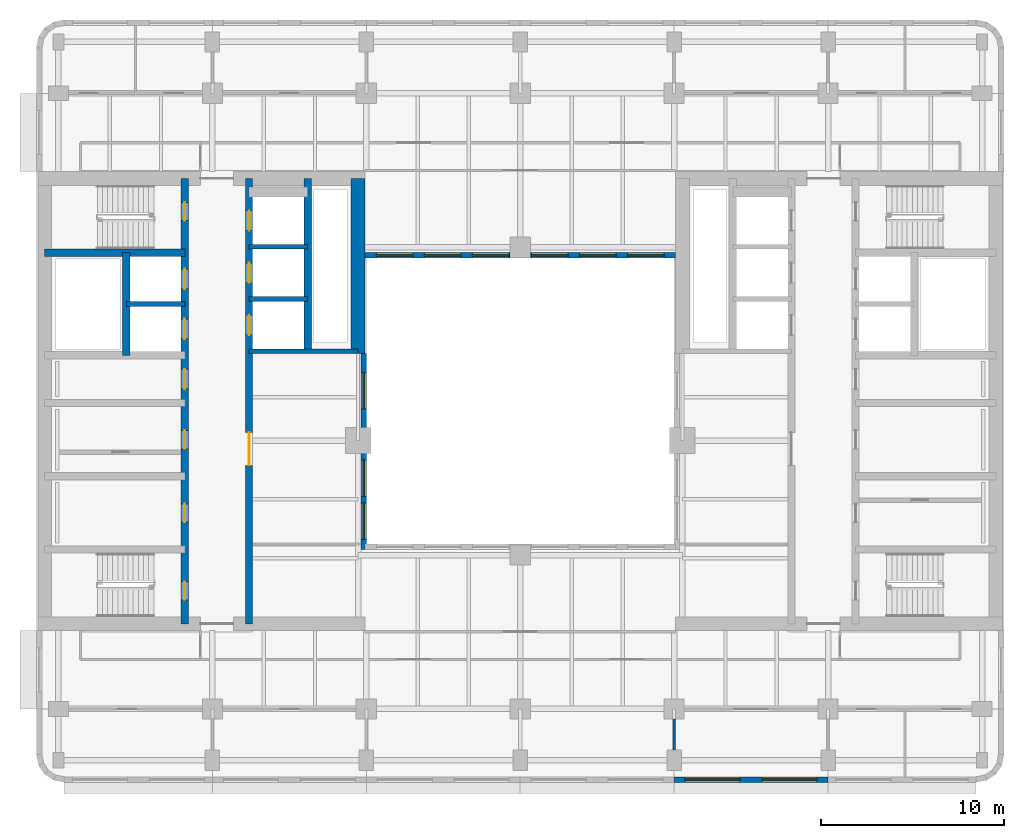
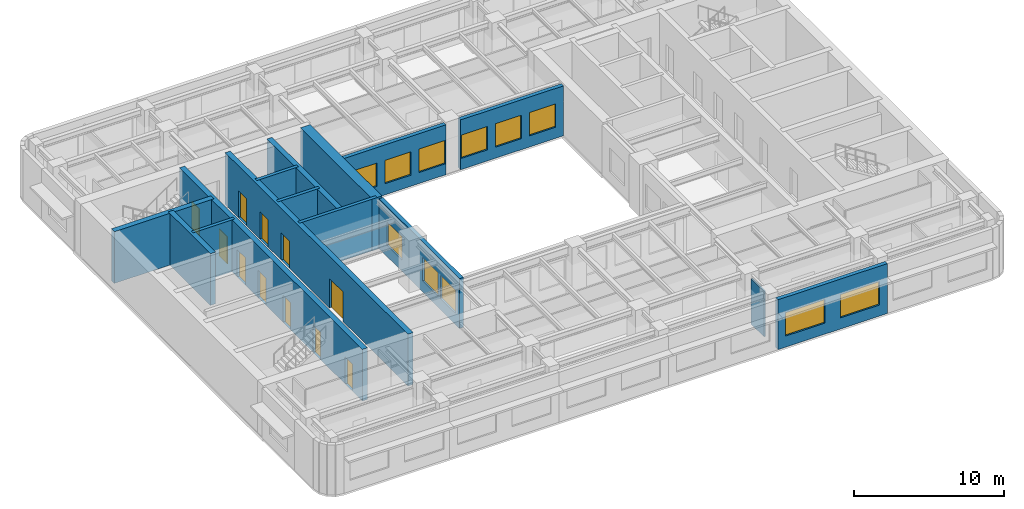
# One storey, part 4 of 11: 15 walls, 11 doors, 11 windows, 22 openings.
"""IFC4 building model written with IfcOpenShell, lengths in metres."""

from ifc_helpers import new_model, si_unit, direction, frame, frame_2d, origin, place, context, subcontext, project, spatial, rectangle, extrude, material, layer, layer_set, type_object, element, fill, save


model = new_model("IFC4")

# Units and contexts
model_context = context("Model", 3, precision=1e-05, world=origin(), true_north=direction((0.0, 1.0)))
body_context = subcontext(model_context, "Body", "Model", "MODEL_VIEW")
ifc_project = project(units=[si_unit("LENGTHUNIT", "METRE"), si_unit("AREAUNIT", "SQUARE_METRE"), si_unit("VOLUMEUNIT", "CUBIC_METRE"), si_unit("PLANEANGLEUNIT", "RADIAN"), si_unit("MASSUNIT", "GRAM", prefix="KILO")], contexts=[model_context])

# Site, building, storey
site_placement = place(None, origin())
site = spatial("IfcSite", under=ifc_project, at=site_placement, CompositionType="ELEMENT")
building_placement = place(site_placement, origin())
building = spatial("IfcBuilding", under=site, at=building_placement, Name="Claustro Exchange Tower", CompositionType="ELEMENT")
storey_placement = place(building_placement, frame((0.0, 0.0, 181.800048828125)))
storey = spatial("IfcBuildingStorey", under=building, at=storey_placement, Name="L41", CompositionType="ELEMENT", Elevation=181.800048828125)

# Wall
ifc_material_1 = material(Name="Laminated glass in aluminium frame", Category="aluminium")
ifc_layer_1 = layer(ifc_material_1, 0.1201171875)
ifc_layer_set_1 = layer_set([ifc_layer_1], Name="Laminated glass in aluminium frame")
wall_type_1 = type_object("IfcWallType", Name="P2 120 glazed partition", PredefinedType="PARTITIONING", material=ifc_layer_set_1)
wall_1_placement = place(storey_placement, frame((33.60009765625, 6.14892578125, 0.0), z_axis=(0.0, 0.0, 1.0), x_axis=(0.0, 1.0, 0.0)))
element("IfcWall", 1, at=wall_1_placement, inside=storey, type_object=wall_type_1, Name="Partition P2 L41", PredefinedType="PARTITIONING", context=body_context, shape_type="SweptSolid", body=[
    extrude(rectangle(XDim=1.7021484375, YDim=0.1201171875, at=frame_2d((0.85107421875, 0.0))), origin(), (0.0, 0.0, 1.0), 3.68994140625),
])

# Wall, openings, windows
ifc_material_2 = material(Name="Concrete HA-40 (C40/50), precast, white cement, acid-etched", Category="concrete")
ifc_layer_2 = layer(ifc_material_2, 0.300048828125)
ifc_layer_set_2 = layer_set([ifc_layer_2], Name="Concrete HA-40 (C40/50), precast, white cement, acid-etched")
wall_type_2 = type_object("IfcWallType", Name="PC1 300 precast concrete pier panel", PredefinedType="SOLIDWALL", material=ifc_layer_set_2)
wall_2_placement = place(storey_placement, frame((42.0, 4.550048828125, 0.0), z_axis=(0.0, 0.0, 1.0), x_axis=(-1.0, 0.0, 0.0)))
wall_2 = element("IfcWall", 2, at=wall_2_placement, inside=storey, type_object=wall_type_2, Name="Precast pier panel PC1 L41", PredefinedType="SOLIDWALL", context=body_context, shape_type="SweptSolid", body=[
    extrude(rectangle(XDim=8.39990234375, YDim=0.300048828125, at=frame_2d((4.199951171875, 0.0))), origin(), (0.0, 0.0, 1.0), 4.050048828125),
])
opening_1_placement = place(wall_2_placement, frame((0.60009765625, 0.0, 0.89990234375)))
opening_1 = element("IfcOpeningElement", 3, at=opening_1_placement, cuts=wall_2, Name="Opening W1", PredefinedType="OPENING", context=body_context, shape_type="SweptSolid", body=[
    extrude(rectangle(XDim=3.0, YDim=1.89990234375, at=frame_2d((1.5, 0.949951171875))), frame((0.0, 0.159912109375, 0.0), z_axis=(0.0, -1.0, 0.0), x_axis=(1.0, 0.0, 0.0)), (0.0, 0.0, 1.0), 0.320068359375),
])
opening_2_placement = place(wall_2_placement, frame((4.800048828125, 0.0, 0.89990234375)))
opening_2 = element("IfcOpeningElement", 4, at=opening_2_placement, cuts=wall_2, Name="Opening W1", PredefinedType="OPENING", context=body_context, shape_type="SweptSolid", body=[
    extrude(rectangle(XDim=3.0, YDim=1.89990234375, at=frame_2d((1.5, 0.949951171875))), frame((0.0, 0.159912109375, 0.0), z_axis=(0.0, -1.0, 0.0), x_axis=(1.0, 0.0, 0.0)), (0.0, 0.0, 1.0), 0.320068359375),
])
ifc_material_3 = material(Name="Aluminium frame, clear double glazing", Category="aluminium")
window_type_1 = type_object("IfcWindowType", Name="W1 3000 x 1900 window", PartitioningType="SINGLE_PANEL", PredefinedType="WINDOW", material=ifc_material_3)
window_1_placement = place(opening_1_placement, origin())
window_1 = element("IfcWindow", 5, at=window_1_placement, inside=storey, type_object=window_type_1, Name="Window W1 L41", OverallHeight=1.89990234375, OverallWidth=3.0, PartitioningType="SINGLE_PANEL", PredefinedType="WINDOW", context=body_context, shape_type="SweptSolid", body=[
    extrude(rectangle(XDim=3.0, YDim=1.89990234375, at=frame_2d((1.5, 0.949951171875))), frame((0.0, 0.030029296875, 0.0), z_axis=(0.0, -1.0, 0.0), x_axis=(1.0, 0.0, 0.0)), (0.0, 0.0, 1.0), 0.06005859375),
])
fill(opening_1, window_1)
window_2_placement = place(opening_2_placement, origin())
window_2 = element("IfcWindow", 6, at=window_2_placement, inside=storey, type_object=window_type_1, Name="Window W1 L41", OverallHeight=1.89990234375, OverallWidth=3.0, PartitioningType="SINGLE_PANEL", PredefinedType="WINDOW", context=body_context, shape_type="SweptSolid", body=[
    extrude(rectangle(XDim=3.0, YDim=1.89990234375, at=frame_2d((1.5, 0.949951171875))), frame((0.0, 0.030029296875, 0.0), z_axis=(0.0, -1.0, 0.0), x_axis=(1.0, 0.0, 0.0)), (0.0, 0.0, 1.0), 0.06005859375),
])
fill(opening_2, window_2)

wall_3_placement = place(storey_placement, frame((16.64990234375, 17.10009765625, 0.0), z_axis=(0.0, 0.0, 1.0), x_axis=(0.0, 1.0, 0.0)))
wall_3 = element("IfcWall", 7, at=wall_3_placement, inside=storey, type_object=wall_type_2, Name="Precast pier panel PC1 L41", PredefinedType="SOLIDWALL", context=body_context, shape_type="SweptSolid", body=[
    extrude(rectangle(XDim=10.699951171875, YDim=0.300048828125, at=frame_2d((5.35009765625, 0.0))), origin(), (0.0, 0.0, 1.0), 4.050048828125),
])
opening_3_placement = place(wall_3_placement, frame((0.550048828125, 0.0, 0.89990234375)))
opening_3 = element("IfcOpeningElement", 8, at=opening_3_placement, cuts=wall_3, Name="Opening W4", PredefinedType="OPENING", context=body_context, shape_type="SweptSolid", body=[
    extrude(rectangle(XDim=2.0, YDim=1.89990234375, at=frame_2d((1.0, 0.949951171875))), frame((0.0, 0.159912109375, 0.0), z_axis=(0.0, -1.0, 0.0), x_axis=(1.0, 0.0, 0.0)), (0.0, 0.0, 1.0), 0.320068359375),
])
opening_4_placement = place(wall_3_placement, frame((2.89990234375, 0.0, 0.89990234375)))
opening_4 = element("IfcOpeningElement", 9, at=opening_4_placement, cuts=wall_3, Name="Opening W4", PredefinedType="OPENING", context=body_context, shape_type="SweptSolid", body=[
    extrude(rectangle(XDim=2.0, YDim=1.89990234375, at=frame_2d((1.0, 0.949951171875))), frame((0.0, 0.159912109375, 0.0), z_axis=(0.0, -1.0, 0.0), x_axis=(1.0, 0.0, 0.0)), (0.0, 0.0, 1.0), 0.320068359375),
])
opening_5_placement = place(wall_3_placement, frame((7.675048828125, 0.0, 0.89990234375)))
opening_5 = element("IfcOpeningElement", 10, at=opening_5_placement, cuts=wall_3, Name="Opening W4", PredefinedType="OPENING", context=body_context, shape_type="SweptSolid", body=[
    extrude(rectangle(XDim=2.0, YDim=1.89990234375, at=frame_2d((1.0, 0.949951171875))), frame((0.0, 0.159912109375, 0.0), z_axis=(0.0, -1.0, 0.0), x_axis=(1.0, 0.0, 0.0)), (0.0, 0.0, 1.0), 0.320068359375),
])
ifc_material_4 = material(Name="Aluminium frame, clear double glazing", Category="aluminium")
window_type_2 = type_object("IfcWindowType", Name="W4 2000 x 1900 light well window", PartitioningType="SINGLE_PANEL", PredefinedType="WINDOW", material=ifc_material_4)
window_3_placement = place(opening_3_placement, origin())
window_3 = element("IfcWindow", 11, at=window_3_placement, inside=storey, type_object=window_type_2, Name="Window W4 L41", OverallHeight=1.89990234375, OverallWidth=2.0, PartitioningType="SINGLE_PANEL", PredefinedType="WINDOW", context=body_context, shape_type="SweptSolid", body=[
    extrude(rectangle(XDim=2.0, YDim=1.89990234375, at=frame_2d((1.0, 0.949951171875))), frame((0.0, 0.030029296875, 0.0), z_axis=(0.0, -1.0, 0.0), x_axis=(1.0, 0.0, 0.0)), (0.0, 0.0, 1.0), 0.06005859375),
])
fill(opening_3, window_3)
window_4_placement = place(opening_4_placement, origin())
window_4 = element("IfcWindow", 12, at=window_4_placement, inside=storey, type_object=window_type_2, Name="Window W4 L41", OverallHeight=1.89990234375, OverallWidth=2.0, PartitioningType="SINGLE_PANEL", PredefinedType="WINDOW", context=body_context, shape_type="SweptSolid", body=[
    extrude(rectangle(XDim=2.0, YDim=1.89990234375, at=frame_2d((1.0, 0.949951171875))), frame((0.0, 0.030029296875, 0.0), z_axis=(0.0, -1.0, 0.0), x_axis=(1.0, 0.0, 0.0)), (0.0, 0.0, 1.0), 0.06005859375),
])
fill(opening_4, window_4)
window_5_placement = place(opening_5_placement, origin())
window_5 = element("IfcWindow", 13, at=window_5_placement, inside=storey, type_object=window_type_2, Name="Window W4 L41", OverallHeight=1.89990234375, OverallWidth=2.0, PartitioningType="SINGLE_PANEL", PredefinedType="WINDOW", context=body_context, shape_type="SweptSolid", body=[
    extrude(rectangle(XDim=2.0, YDim=1.89990234375, at=frame_2d((1.0, 0.949951171875))), frame((0.0, 0.030029296875, 0.0), z_axis=(0.0, -1.0, 0.0), x_axis=(1.0, 0.0, 0.0)), (0.0, 0.0, 1.0), 0.06005859375),
])
fill(opening_5, window_5)

wall_4_placement = place(storey_placement, frame((16.72509765625, 33.14990234375, 0.0), z_axis=(0.0, 0.0, 1.0), x_axis=(1.0, 0.0, 0.0)))
wall_4 = element("IfcWall", 14, at=wall_4_placement, inside=storey, type_object=wall_type_2, Name="Precast pier panel PC1 L41", PredefinedType="SOLIDWALL", context=body_context, shape_type="SweptSolid", body=[
    extrude(rectangle(XDim=7.9248046875, YDim=0.300048828125, at=frame_2d((3.96240234375, 0.0))), origin(), (0.0, 0.0, 1.0), 4.050048828125),
])
opening_6_placement = place(wall_4_placement, frame((0.61865234375, 0.0, 0.89990234375)))
opening_6 = element("IfcOpeningElement", 15, at=opening_6_placement, cuts=wall_4, Name="Opening W4", PredefinedType="OPENING", context=body_context, shape_type="SweptSolid", body=[
    extrude(rectangle(XDim=2.0, YDim=1.89990234375, at=frame_2d((1.0, 0.949951171875))), frame((0.0, 0.159912109375, 0.0), z_axis=(0.0, -1.0, 0.0), x_axis=(1.0, 0.0, 0.0)), (0.0, 0.0, 1.0), 0.320068359375),
])
opening_7_placement = place(wall_4_placement, frame((3.237548828125, 0.0, 0.89990234375)))
opening_7 = element("IfcOpeningElement", 16, at=opening_7_placement, cuts=wall_4, Name="Opening W4", PredefinedType="OPENING", context=body_context, shape_type="SweptSolid", body=[
    extrude(rectangle(XDim=2.0, YDim=1.89990234375, at=frame_2d((1.0, 0.949951171875))), frame((0.0, 0.159912109375, 0.0), z_axis=(0.0, -1.0, 0.0), x_axis=(1.0, 0.0, 0.0)), (0.0, 0.0, 1.0), 0.320068359375),
])
opening_8_placement = place(wall_4_placement, frame((5.856201171875, 0.0, 0.89990234375)))
opening_8 = element("IfcOpeningElement", 17, at=opening_8_placement, cuts=wall_4, Name="Opening W4", PredefinedType="OPENING", context=body_context, shape_type="SweptSolid", body=[
    extrude(rectangle(XDim=2.0, YDim=1.89990234375, at=frame_2d((1.0, 0.949951171875))), frame((0.0, 0.159912109375, 0.0), z_axis=(0.0, -1.0, 0.0), x_axis=(1.0, 0.0, 0.0)), (0.0, 0.0, 1.0), 0.320068359375),
])
window_6_placement = place(opening_6_placement, origin())
window_6 = element("IfcWindow", 18, at=window_6_placement, inside=storey, type_object=window_type_2, Name="Window W4 L41", OverallHeight=1.89990234375, OverallWidth=2.0, PartitioningType="SINGLE_PANEL", PredefinedType="WINDOW", context=body_context, shape_type="SweptSolid", body=[
    extrude(rectangle(XDim=2.0, YDim=1.89990234375, at=frame_2d((1.0, 0.949951171875))), frame((0.0, 0.030029296875, 0.0), z_axis=(0.0, -1.0, 0.0), x_axis=(1.0, 0.0, 0.0)), (0.0, 0.0, 1.0), 0.06005859375),
])
fill(opening_6, window_6)
window_7_placement = place(opening_7_placement, origin())
window_7 = element("IfcWindow", 19, at=window_7_placement, inside=storey, type_object=window_type_2, Name="Window W4 L41", OverallHeight=1.89990234375, OverallWidth=2.0, PartitioningType="SINGLE_PANEL", PredefinedType="WINDOW", context=body_context, shape_type="SweptSolid", body=[
    extrude(rectangle(XDim=2.0, YDim=1.89990234375, at=frame_2d((1.0, 0.949951171875))), frame((0.0, 0.030029296875, 0.0), z_axis=(0.0, -1.0, 0.0), x_axis=(1.0, 0.0, 0.0)), (0.0, 0.0, 1.0), 0.06005859375),
])
fill(opening_7, window_7)
window_8_placement = place(opening_8_placement, origin())
window_8 = element("IfcWindow", 20, at=window_8_placement, inside=storey, type_object=window_type_2, Name="Window W4 L41", OverallHeight=1.89990234375, OverallWidth=2.0, PartitioningType="SINGLE_PANEL", PredefinedType="WINDOW", context=body_context, shape_type="SweptSolid", body=[
    extrude(rectangle(XDim=2.0, YDim=1.89990234375, at=frame_2d((1.0, 0.949951171875))), frame((0.0, 0.030029296875, 0.0), z_axis=(0.0, -1.0, 0.0), x_axis=(1.0, 0.0, 0.0)), (0.0, 0.0, 1.0), 0.06005859375),
])
fill(opening_8, window_8)

wall_5_placement = place(storey_placement, frame((25.75, 33.14990234375, 0.0), z_axis=(0.0, 0.0, 1.0), x_axis=(1.0, 0.0, 0.0)))
wall_5 = element("IfcWall", 21, at=wall_5_placement, inside=storey, type_object=wall_type_2, Name="Precast pier panel PC1 L41", PredefinedType="SOLIDWALL", context=body_context, shape_type="SweptSolid", body=[
    extrude(rectangle(XDim=7.925048828125, YDim=0.300048828125, at=frame_2d((3.96240234375, 0.0))), origin(), (0.0, 0.0, 1.0), 4.050048828125),
])
opening_9_placement = place(wall_5_placement, frame((0.068603515625, 0.0, 0.89990234375)))
opening_9 = element("IfcOpeningElement", 22, at=opening_9_placement, cuts=wall_5, Name="Opening W4", PredefinedType="OPENING", context=body_context, shape_type="SweptSolid", body=[
    extrude(rectangle(XDim=2.0, YDim=1.89990234375, at=frame_2d((1.0, 0.949951171875))), frame((0.0, 0.159912109375, 0.0), z_axis=(0.0, -1.0, 0.0), x_axis=(1.0, 0.0, 0.0)), (0.0, 0.0, 1.0), 0.320068359375),
])
opening_10_placement = place(wall_5_placement, frame((2.6875, 0.0, 0.89990234375)))
opening_10 = element("IfcOpeningElement", 23, at=opening_10_placement, cuts=wall_5, Name="Opening W4", PredefinedType="OPENING", context=body_context, shape_type="SweptSolid", body=[
    extrude(rectangle(XDim=2.0, YDim=1.89990234375, at=frame_2d((1.0, 0.949951171875))), frame((0.0, 0.159912109375, 0.0), z_axis=(0.0, -1.0, 0.0), x_axis=(1.0, 0.0, 0.0)), (0.0, 0.0, 1.0), 0.320068359375),
])
opening_11_placement = place(wall_5_placement, frame((5.30615234375, 0.0, 0.89990234375)))
opening_11 = element("IfcOpeningElement", 24, at=opening_11_placement, cuts=wall_5, Name="Opening W4", PredefinedType="OPENING", context=body_context, shape_type="SweptSolid", body=[
    extrude(rectangle(XDim=2.0, YDim=1.89990234375, at=frame_2d((1.0, 0.949951171875))), frame((0.0, 0.159912109375, 0.0), z_axis=(0.0, -1.0, 0.0), x_axis=(1.0, 0.0, 0.0)), (0.0, 0.0, 1.0), 0.320068359375),
])
window_9_placement = place(opening_9_placement, origin())
window_9 = element("IfcWindow", 25, at=window_9_placement, inside=storey, type_object=window_type_2, Name="Window W4 L41", OverallHeight=1.89990234375, OverallWidth=2.0, PartitioningType="SINGLE_PANEL", PredefinedType="WINDOW", context=body_context, shape_type="SweptSolid", body=[
    extrude(rectangle(XDim=2.0, YDim=1.89990234375, at=frame_2d((1.0, 0.949951171875))), frame((0.0, 0.030029296875, 0.0), z_axis=(0.0, -1.0, 0.0), x_axis=(1.0, 0.0, 0.0)), (0.0, 0.0, 1.0), 0.06005859375),
])
fill(opening_9, window_9)
window_10_placement = place(opening_10_placement, origin())
window_10 = element("IfcWindow", 26, at=window_10_placement, inside=storey, type_object=window_type_2, Name="Window W4 L41", OverallHeight=1.89990234375, OverallWidth=2.0, PartitioningType="SINGLE_PANEL", PredefinedType="WINDOW", context=body_context, shape_type="SweptSolid", body=[
    extrude(rectangle(XDim=2.0, YDim=1.89990234375, at=frame_2d((1.0, 0.949951171875))), frame((0.0, 0.030029296875, 0.0), z_axis=(0.0, -1.0, 0.0), x_axis=(1.0, 0.0, 0.0)), (0.0, 0.0, 1.0), 0.06005859375),
])
fill(opening_10, window_10)
window_11_placement = place(opening_11_placement, origin())
window_11 = element("IfcWindow", 27, at=window_11_placement, inside=storey, type_object=window_type_2, Name="Window W4 L41", OverallHeight=1.89990234375, OverallWidth=2.0, PartitioningType="SINGLE_PANEL", PredefinedType="WINDOW", context=body_context, shape_type="SweptSolid", body=[
    extrude(rectangle(XDim=2.0, YDim=1.89990234375, at=frame_2d((1.0, 0.949951171875))), frame((0.0, 0.030029296875, 0.0), z_axis=(0.0, -1.0, 0.0), x_axis=(1.0, 0.0, 0.0)), (0.0, 0.0, 1.0), 0.06005859375),
])
fill(opening_11, window_11)

# Wall
ifc_material_5 = material(Name="Concrete HA-70 (C70/85)", Category="concrete")
ifc_layer_3 = layer(ifc_material_5, 0.75)
ifc_layer_set_3 = layer_set([ifc_layer_3], Name="Concrete HA-70 (C70/85)")
wall_type_3 = type_object("IfcWallType", Name="SW2X 750 exposed core shear wall, board-marked face", PredefinedType="SHEAR", material=ifc_layer_set_3)
wall_6_placement = place(storey_placement, frame((16.35009765625, 27.800048828125, 0.0), z_axis=(0.0, 0.0, 1.0), x_axis=(0.0, 1.0, 0.0)))
element("IfcWall", 28, at=wall_6_placement, inside=storey, type_object=wall_type_3, Name="Core wall SW2X W core E face L41", PredefinedType="SHEAR", context=body_context, shape_type="SweptSolid", body=[
    extrude(rectangle(XDim=9.550048828125, YDim=0.75, at=frame_2d((4.77490234375, 0.0))), origin(), (0.0, 0.0, 1.0), 4.199951171875),
])

# Wall, openings, doors
ifc_material_6 = material(Name="Concrete HA-50 (C50/60)", Category="concrete")
ifc_layer_4 = layer(ifc_material_6, 0.39990234375)
ifc_layer_set_4 = layer_set([ifc_layer_4], Name="Concrete HA-50 (C50/60)")
wall_type_4 = type_object("IfcWallType", Name="SW4 400 internal core wall", PredefinedType="SHEAR", material=ifc_layer_set_4)
wall_7_placement = place(storey_placement, frame((6.89990234375, 13.050048828125, 0.0), z_axis=(0.0, 0.0, 1.0), x_axis=(0.0, 1.0, 0.0)))
wall_7 = element("IfcWall", 29, at=wall_7_placement, inside=storey, type_object=wall_type_4, Name="Internal core wall SW4 W core L41", PredefinedType="SHEAR", context=body_context, shape_type="SweptSolid", body=[
    extrude(rectangle(XDim=24.300048828125, YDim=0.39990234375, at=frame_2d((12.14990234375, 0.0))), origin(), (0.0, 0.0, 1.0), 4.199951171875),
])
opening_12_placement = place(wall_7_placement, frame((1.300048828125, 0.0, 0.0)))
opening_12 = element("IfcOpeningElement", 30, at=opening_12_placement, cuts=wall_7, Name="Opening D4", PredefinedType="OPENING", context=body_context, shape_type="SweptSolid", body=[
    extrude(rectangle(XDim=1.0, YDim=2.199951171875, at=frame_2d((0.5, 1.10009765625))), frame((0.0, 0.2099609375, 0.0), z_axis=(0.0, -1.0, 0.0), x_axis=(1.0, 0.0, 0.0)), (0.0, 0.0, 1.0), 0.419921875),
])
opening_13_placement = place(wall_7_placement, frame((22.0, 0.0, 0.0)))
opening_13 = element("IfcOpeningElement", 31, at=opening_13_placement, cuts=wall_7, Name="Opening D4", PredefinedType="OPENING", context=body_context, shape_type="SweptSolid", body=[
    extrude(rectangle(XDim=1.0, YDim=2.199951171875, at=frame_2d((0.5, 1.10009765625))), frame((0.0, 0.2099609375, 0.0), z_axis=(0.0, -1.0, 0.0), x_axis=(1.0, 0.0, 0.0)), (0.0, 0.0, 1.0), 0.419921875),
])
opening_14_placement = place(wall_7_placement, frame((5.550048828125, 0.0, 0.0)))
opening_14 = element("IfcOpeningElement", 32, at=opening_14_placement, cuts=wall_7, Name="Opening D1", PredefinedType="OPENING", context=body_context, shape_type="SweptSolid", body=[
    extrude(rectangle(XDim=1.0, YDim=2.199951171875, at=frame_2d((0.5, 1.10009765625))), frame((0.0, 0.2099609375, 0.0), z_axis=(0.0, -1.0, 0.0), x_axis=(1.0, 0.0, 0.0)), (0.0, 0.0, 1.0), 0.419921875),
])
opening_15_placement = place(wall_7_placement, frame((9.550048828125, 0.0, 0.0)))
opening_15 = element("IfcOpeningElement", 33, at=opening_15_placement, cuts=wall_7, Name="Opening D1", PredefinedType="OPENING", context=body_context, shape_type="SweptSolid", body=[
    extrude(rectangle(XDim=1.0, YDim=2.199951171875, at=frame_2d((0.5, 1.10009765625))), frame((0.0, 0.2099609375, 0.0), z_axis=(0.0, -1.0, 0.0), x_axis=(1.0, 0.0, 0.0)), (0.0, 0.0, 1.0), 0.419921875),
])
opening_16_placement = place(wall_7_placement, frame((12.800048828125, 0.0, 0.0)))
opening_16 = element("IfcOpeningElement", 34, at=opening_16_placement, cuts=wall_7, Name="Opening D10", PredefinedType="OPENING", context=body_context, shape_type="SweptSolid", body=[
    extrude(rectangle(XDim=1.10009765625, YDim=2.199951171875, at=frame_2d((0.550048828125, 1.10009765625))), frame((0.0, 0.2099609375, 0.0), z_axis=(0.0, -1.0, 0.0), x_axis=(1.0, 0.0, 0.0)), (0.0, 0.0, 1.0), 0.419921875),
])
opening_17_placement = place(wall_7_placement, frame((15.53759765625, 0.0, 0.0)))
opening_17 = element("IfcOpeningElement", 35, at=opening_17_placement, cuts=wall_7, Name="Opening LD", PredefinedType="OPENING", context=body_context, shape_type="SweptSolid", body=[
    extrude(rectangle(XDim=1.10009765625, YDim=2.199951171875, at=frame_2d((0.550048828125, 1.10009765625))), frame((0.0, 0.2099609375, 0.0), z_axis=(0.0, -1.0, 0.0), x_axis=(1.0, 0.0, 0.0)), (0.0, 0.0, 1.0), 0.419921875),
])
opening_18_placement = place(wall_7_placement, frame((18.262451171875, 0.0, 0.0)))
opening_18 = element("IfcOpeningElement", 36, at=opening_18_placement, cuts=wall_7, Name="Opening LD", PredefinedType="OPENING", context=body_context, shape_type="SweptSolid", body=[
    extrude(rectangle(XDim=1.10009765625, YDim=2.199951171875, at=frame_2d((0.550048828125, 1.10009765625))), frame((0.0, 0.2099609375, 0.0), z_axis=(0.0, -1.0, 0.0), x_axis=(1.0, 0.0, 0.0)), (0.0, 0.0, 1.0), 0.419921875),
])
ifc_material_7 = material(Name="Timber door, oak veneer", Category="wood")
door_type_1 = type_object("IfcDoorType", Name="D1 1000 x 2200 single door", OperationType="SINGLE_SWING_LEFT", PredefinedType="DOOR", material=ifc_material_7)
door_1_placement = place(opening_14_placement, origin())
door_1 = element("IfcDoor", 37, at=door_1_placement, inside=storey, type_object=door_type_1, Name="Door D1 L41", OperationType="SINGLE_SWING_RIGHT", OverallHeight=2.199951171875, OverallWidth=1.0, PredefinedType="DOOR", context=body_context, shape_type="SweptSolid", body=[
    extrude(rectangle(XDim=1.0, YDim=2.199951171875, at=frame_2d((0.5, 1.10009765625))), frame((0.0, 0.02490234375, 0.0), z_axis=(0.0, -1.0, 0.0), x_axis=(1.0, 0.0, 0.0)), (0.0, 0.0, 1.0), 0.050048828125),
])
fill(opening_14, door_1)
door_2_placement = place(opening_15_placement, origin())
door_2 = element("IfcDoor", 38, at=door_2_placement, inside=storey, type_object=door_type_1, Name="Door D1 L41", OperationType="SINGLE_SWING_LEFT", OverallHeight=2.199951171875, OverallWidth=1.0, PredefinedType="DOOR", context=body_context, shape_type="SweptSolid", body=[
    extrude(rectangle(XDim=1.0, YDim=2.199951171875, at=frame_2d((0.5, 1.10009765625))), frame((0.0, 0.02490234375, 0.0), z_axis=(0.0, -1.0, 0.0), x_axis=(1.0, 0.0, 0.0)), (0.0, 0.0, 1.0), 0.050048828125),
])
fill(opening_15, door_2)
ifc_material_8 = material(Name="Timber door, oak veneer", Category="wood")
door_type_2 = type_object("IfcDoorType", Name="D10 1100 x 2200 accessible WC door", OperationType="SINGLE_SWING_LEFT", PredefinedType="DOOR", material=ifc_material_8)
door_3_placement = place(opening_16_placement, frame((1.10009765625, 0.0, 0.0), z_axis=(0.0, 0.0, 1.0), x_axis=(-1.0, 0.0, 0.0)))
door_3 = element("IfcDoor", 39, at=door_3_placement, inside=storey, type_object=door_type_2, Name="Accessible WC door D10 L41", OperationType="SINGLE_SWING_LEFT", OverallHeight=2.199951171875, OverallWidth=1.10009765625, PredefinedType="DOOR", context=body_context, shape_type="SweptSolid", body=[
    extrude(rectangle(XDim=1.10009765625, YDim=2.199951171875, at=frame_2d((0.550048828125, 1.10009765625))), frame((0.0, 0.02490234375, 0.0), z_axis=(0.0, -1.0, 0.0), x_axis=(1.0, 0.0, 0.0)), (0.0, 0.0, 1.0), 0.050048828125),
])
fill(opening_16, door_3)
ifc_material_9 = material(Name="Steel fire door, painted", Category="steel")
door_type_3 = type_object("IfcDoorType", Name="D4 1000 x 2200 fire-rated stair door", OperationType="SINGLE_SWING_LEFT", PredefinedType="DOOR", material=ifc_material_9)
door_4_placement = place(opening_12_placement, origin())
door_4 = element("IfcDoor", 40, at=door_4_placement, inside=storey, type_object=door_type_3, Name="Stair door D4 L41", OperationType="SINGLE_SWING_LEFT", OverallHeight=2.199951171875, OverallWidth=1.0, PredefinedType="DOOR", context=body_context, shape_type="SweptSolid", body=[
    extrude(rectangle(XDim=1.0, YDim=2.199951171875, at=frame_2d((0.5, 1.10009765625))), frame((0.0, 0.02490234375, 0.0), z_axis=(0.0, -1.0, 0.0), x_axis=(1.0, 0.0, 0.0)), (0.0, 0.0, 1.0), 0.050048828125),
])
fill(opening_12, door_4)
door_5_placement = place(opening_13_placement, origin())
door_5 = element("IfcDoor", 41, at=door_5_placement, inside=storey, type_object=door_type_3, Name="Stair door D4 L41", OperationType="SINGLE_SWING_RIGHT", OverallHeight=2.199951171875, OverallWidth=1.0, PredefinedType="DOOR", context=body_context, shape_type="SweptSolid", body=[
    extrude(rectangle(XDim=1.0, YDim=2.199951171875, at=frame_2d((0.5, 1.10009765625))), frame((0.0, 0.02490234375, 0.0), z_axis=(0.0, -1.0, 0.0), x_axis=(1.0, 0.0, 0.0)), (0.0, 0.0, 1.0), 0.050048828125),
])
fill(opening_13, door_5)
ifc_material_10 = material(Name="Stainless steel sliding door", Category="steel")
door_type_4 = type_object("IfcDoorType", Name="LD 1100 x 2200 lift landing door", OperationType="DOUBLE_DOOR_SLIDING", PredefinedType="DOOR", material=ifc_material_10)
door_6_placement = place(opening_17_placement, origin())
door_6 = element("IfcDoor", 42, at=door_6_placement, inside=storey, type_object=door_type_4, Name="Lift landing door LEW1 LD L41", OperationType="DOUBLE_DOOR_SLIDING", OverallHeight=2.199951171875, OverallWidth=1.10009765625, PredefinedType="DOOR", context=body_context, shape_type="SweptSolid", body=[
    extrude(rectangle(XDim=1.10009765625, YDim=2.199951171875, at=frame_2d((0.550048828125, 1.10009765625))), frame((0.0, 0.02490234375, 0.0), z_axis=(0.0, -1.0, 0.0), x_axis=(1.0, 0.0, 0.0)), (0.0, 0.0, 1.0), 0.050048828125),
])
fill(opening_17, door_6)
door_7_placement = place(opening_18_placement, origin())
door_7 = element("IfcDoor", 43, at=door_7_placement, inside=storey, type_object=door_type_4, Name="Lift landing door LEW2 LD L41", OperationType="DOUBLE_DOOR_SLIDING", OverallHeight=2.199951171875, OverallWidth=1.10009765625, PredefinedType="DOOR", context=body_context, shape_type="SweptSolid", body=[
    extrude(rectangle(XDim=1.10009765625, YDim=2.199951171875, at=frame_2d((0.550048828125, 1.10009765625))), frame((0.0, 0.02490234375, 0.0), z_axis=(0.0, -1.0, 0.0), x_axis=(1.0, 0.0, 0.0)), (0.0, 0.0, 1.0), 0.050048828125),
])
fill(opening_18, door_7)

wall_8_placement = place(storey_placement, frame((10.39990234375, 13.050048828125, 0.0), z_axis=(0.0, 0.0, 1.0), x_axis=(0.0, 1.0, 0.0)))
wall_8 = element("IfcWall", 44, at=wall_8_placement, inside=storey, type_object=wall_type_4, Name="Internal core wall SW4 W core L41", PredefinedType="SHEAR", context=body_context, shape_type="SweptSolid", body=[
    extrude(rectangle(XDim=24.300048828125, YDim=0.39990234375, at=frame_2d((12.14990234375, 0.0))), origin(), (0.0, 0.0, 1.0), 4.199951171875),
])
opening_19_placement = place(wall_8_placement, frame((15.75, 0.0, 0.0)))
opening_19 = element("IfcOpeningElement", 45, at=opening_19_placement, cuts=wall_8, Name="Opening LD", PredefinedType="OPENING", context=body_context, shape_type="SweptSolid", body=[
    extrude(rectangle(XDim=1.10009765625, YDim=2.199951171875, at=frame_2d((0.550048828125, 1.10009765625))), frame((0.0, 0.2099609375, 0.0), z_axis=(0.0, -1.0, 0.0), x_axis=(1.0, 0.0, 0.0)), (0.0, 0.0, 1.0), 0.419921875),
])
opening_20_placement = place(wall_8_placement, frame((18.60009765625, 0.0, 0.0)))
opening_20 = element("IfcOpeningElement", 46, at=opening_20_placement, cuts=wall_8, Name="Opening LD", PredefinedType="OPENING", context=body_context, shape_type="SweptSolid", body=[
    extrude(rectangle(XDim=1.10009765625, YDim=2.199951171875, at=frame_2d((0.550048828125, 1.10009765625))), frame((0.0, 0.2099609375, 0.0), z_axis=(0.0, -1.0, 0.0), x_axis=(1.0, 0.0, 0.0)), (0.0, 0.0, 1.0), 0.419921875),
])
opening_21_placement = place(wall_8_placement, frame((21.449951171875, 0.0, 0.0)))
opening_21 = element("IfcOpeningElement", 47, at=opening_21_placement, cuts=wall_8, Name="Opening LD", PredefinedType="OPENING", context=body_context, shape_type="SweptSolid", body=[
    extrude(rectangle(XDim=1.10009765625, YDim=2.199951171875, at=frame_2d((0.550048828125, 1.10009765625))), frame((0.0, 0.2099609375, 0.0), z_axis=(0.0, -1.0, 0.0), x_axis=(1.0, 0.0, 0.0)), (0.0, 0.0, 1.0), 0.419921875),
])
opening_22_placement = place(wall_8_placement, frame((8.64990234375, 0.0, 0.0)))
opening_22 = element("IfcOpeningElement", 48, at=opening_22_placement, cuts=wall_8, Name="Opening D3", PredefinedType="OPENING", context=body_context, shape_type="SweptSolid", body=[
    extrude(rectangle(XDim=1.800048828125, YDim=2.39990234375, at=frame_2d((0.89990234375, 1.199951171875))), frame((0.0, 0.2099609375, 0.0), z_axis=(0.0, -1.0, 0.0), x_axis=(1.0, 0.0, 0.0)), (0.0, 0.0, 1.0), 0.419921875),
])
ifc_material_11 = material(Name="Steel fire door, painted", Category="steel")
door_type_5 = type_object("IfcDoorType", Name="D3 1800 x 2400 fire-rated lobby double door", OperationType="DOUBLE_DOOR_SINGLE_SWING", PredefinedType="DOOR", material=ifc_material_11)
door_8_placement = place(opening_22_placement, frame((1.800048828125, 0.0, 0.0), z_axis=(0.0, 0.0, 1.0), x_axis=(-1.0, 0.0, 0.0)))
door_8 = element("IfcDoor", 49, at=door_8_placement, inside=storey, type_object=door_type_5, Name="Core zone door D3 L41", OperationType="DOUBLE_DOOR_SINGLE_SWING", OverallHeight=2.39990234375, OverallWidth=1.800048828125, PredefinedType="DOOR", context=body_context, shape_type="SweptSolid", body=[
    extrude(rectangle(XDim=1.800048828125, YDim=2.39990234375, at=frame_2d((0.89990234375, 1.199951171875))), frame((0.0, 0.02490234375, 0.0), z_axis=(0.0, -1.0, 0.0), x_axis=(1.0, 0.0, 0.0)), (0.0, 0.0, 1.0), 0.050048828125),
])
fill(opening_22, door_8)
door_9_placement = place(opening_19_placement, origin())
door_9 = element("IfcDoor", 50, at=door_9_placement, inside=storey, type_object=door_type_4, Name="Lift landing door LHW1 LD L41", OperationType="DOUBLE_DOOR_SLIDING", OverallHeight=2.199951171875, OverallWidth=1.10009765625, PredefinedType="DOOR", context=body_context, shape_type="SweptSolid", body=[
    extrude(rectangle(XDim=1.10009765625, YDim=2.199951171875, at=frame_2d((0.550048828125, 1.10009765625))), frame((0.0, 0.02490234375, 0.0), z_axis=(0.0, -1.0, 0.0), x_axis=(1.0, 0.0, 0.0)), (0.0, 0.0, 1.0), 0.050048828125),
])
fill(opening_19, door_9)
door_10_placement = place(opening_20_placement, origin())
door_10 = element("IfcDoor", 51, at=door_10_placement, inside=storey, type_object=door_type_4, Name="Lift landing door LHW2 LD L41", OperationType="DOUBLE_DOOR_SLIDING", OverallHeight=2.199951171875, OverallWidth=1.10009765625, PredefinedType="DOOR", context=body_context, shape_type="SweptSolid", body=[
    extrude(rectangle(XDim=1.10009765625, YDim=2.199951171875, at=frame_2d((0.550048828125, 1.10009765625))), frame((0.0, 0.02490234375, 0.0), z_axis=(0.0, -1.0, 0.0), x_axis=(1.0, 0.0, 0.0)), (0.0, 0.0, 1.0), 0.050048828125),
])
fill(opening_20, door_10)
door_11_placement = place(opening_21_placement, origin())
door_11 = element("IfcDoor", 52, at=door_11_placement, inside=storey, type_object=door_type_4, Name="Lift landing door LSW1 LD L41", OperationType="DOUBLE_DOOR_SLIDING", OverallHeight=2.199951171875, OverallWidth=1.10009765625, PredefinedType="DOOR", context=body_context, shape_type="SweptSolid", body=[
    extrude(rectangle(XDim=1.10009765625, YDim=2.199951171875, at=frame_2d((0.550048828125, 1.10009765625))), frame((0.0, 0.02490234375, 0.0), z_axis=(0.0, -1.0, 0.0), x_axis=(1.0, 0.0, 0.0)), (0.0, 0.0, 1.0), 0.050048828125),
])
fill(opening_21, door_11)

# Walls
wall_9_placement = place(storey_placement, frame((13.60009765625, 27.925048828125, 0.0), z_axis=(0.0, 0.0, 1.0), x_axis=(0.0, 1.0, 0.0)))
element("IfcWall", 53, at=wall_9_placement, inside=storey, type_object=wall_type_4, Name="Internal core wall SW4 W core L41", PredefinedType="SHEAR", context=body_context, shape_type="SweptSolid", body=[
    extrude(rectangle(XDim=9.425048828125, YDim=0.39990234375, at=frame_2d((4.71240234375, 0.0))), origin(), (0.0, 0.0, 1.0), 4.199951171875),
])
wall_10_placement = place(storey_placement, frame((-0.75, 33.300048828125, 0.0), z_axis=(0.0, 0.0, 1.0), x_axis=(1.0, 0.0, 0.0)))
element("IfcWall", 54, at=wall_10_placement, inside=storey, type_object=wall_type_4, Name="Internal core wall SW4 W core L41", PredefinedType="SHEAR", context=body_context, shape_type="SweptSolid", body=[
    extrude(rectangle(XDim=7.64990234375, YDim=0.39990234375, at=frame_2d((3.824951171875, 0.0))), origin(), (0.0, 0.0, 1.0), 4.199951171875),
])
wall_11_placement = place(storey_placement, frame((3.699951171875, 27.699951171875, 0.0), z_axis=(0.0, 0.0, 1.0), x_axis=(0.0, 1.0, 0.0)))
element("IfcWall", 55, at=wall_11_placement, inside=storey, type_object=wall_type_4, Name="Internal core wall SW4 W core L41", PredefinedType="SHEAR", context=body_context, shape_type="SweptSolid", body=[
    extrude(rectangle(XDim=5.60009765625, YDim=0.39990234375, at=frame_2d((2.800048828125, 0.0))), origin(), (0.0, 0.0, 1.0), 4.199951171875),
])
ifc_material_12 = material(Name="Concrete HA-50 (C50/60)", Category="concrete")
ifc_layer_5 = layer(ifc_material_12, 0.25)
ifc_layer_set_5 = layer_set([ifc_layer_5], Name="Concrete HA-50 (C50/60)")
wall_type_5 = type_object("IfcWallType", Name="SW5 250 lift shaft divider wall", PredefinedType="SHEAR", material=ifc_layer_set_5)
wall_12_placement = place(storey_placement, frame((3.699951171875, 30.5, 0.0), z_axis=(0.0, 0.0, 1.0), x_axis=(1.0, 0.0, 0.0)))
element("IfcWall", 56, at=wall_12_placement, inside=storey, type_object=wall_type_5, Name="Lift shaft wall W core L41", PredefinedType="SHEAR", context=body_context, shape_type="SweptSolid", body=[
    extrude(rectangle(XDim=3.199951171875, YDim=0.25, at=frame_2d((1.60009765625, 0.0))), origin(), (0.0, 0.0, 1.0), 4.199951171875),
])
wall_13_placement = place(storey_placement, frame((10.39990234375, 27.925048828125, 0.0), z_axis=(0.0, 0.0, 1.0), x_axis=(1.0, 0.0, 0.0)))
element("IfcWall", 57, at=wall_13_placement, inside=storey, type_object=wall_type_5, Name="Core step wall W core L41", PredefinedType="SHEAR", context=body_context, shape_type="SweptSolid", body=[
    extrude(rectangle(XDim=5.9501953125, YDim=0.25, at=frame_2d((2.97509765625, 0.0))), origin(), (0.0, 0.0, 1.0), 4.199951171875),
])
for number, where, z_axis, x_axis, name in (
    (58, (10.39990234375, 30.77490234375, 0.0), (0.0, 0.0, 1.0), (1.0, 0.0, 0.0), "Lift shaft wall W core L41"),
    (59, (10.39990234375, 33.625, 0.0), (0.0, 0.0, 1.0), (1.0, 0.0, 0.0), "Lift shaft wall W core L41"),
):
    element("IfcWall", number, at=place(storey_placement, frame(where, z_axis=z_axis, x_axis=x_axis)), inside=storey, type_object=wall_type_5, Name=name, PredefinedType="SHEAR", context=body_context, shape_type="SweptSolid", body=[
        extrude(rectangle(XDim=3.2001953125, YDim=0.25, at=frame_2d((1.60009765625, 0.0))), origin(), (0.0, 0.0, 1.0), 4.199951171875),
    ])

save(model, "model.ifc")
